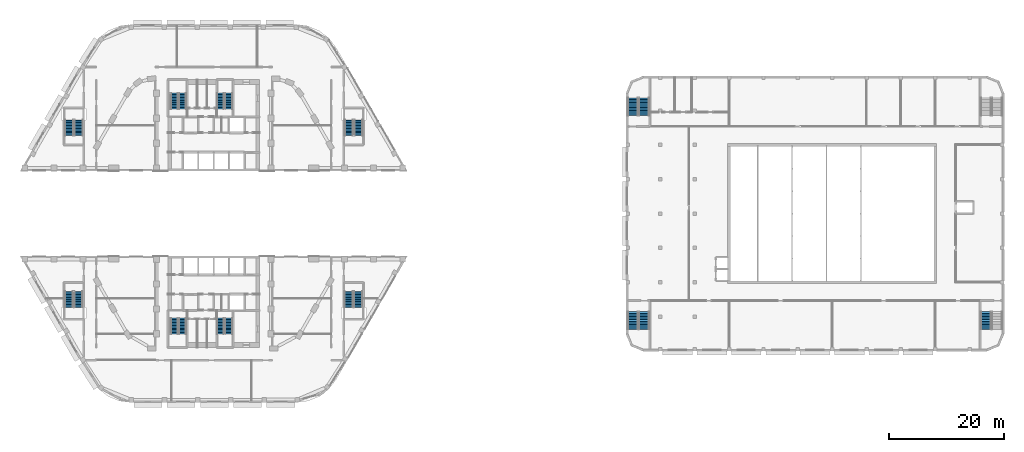
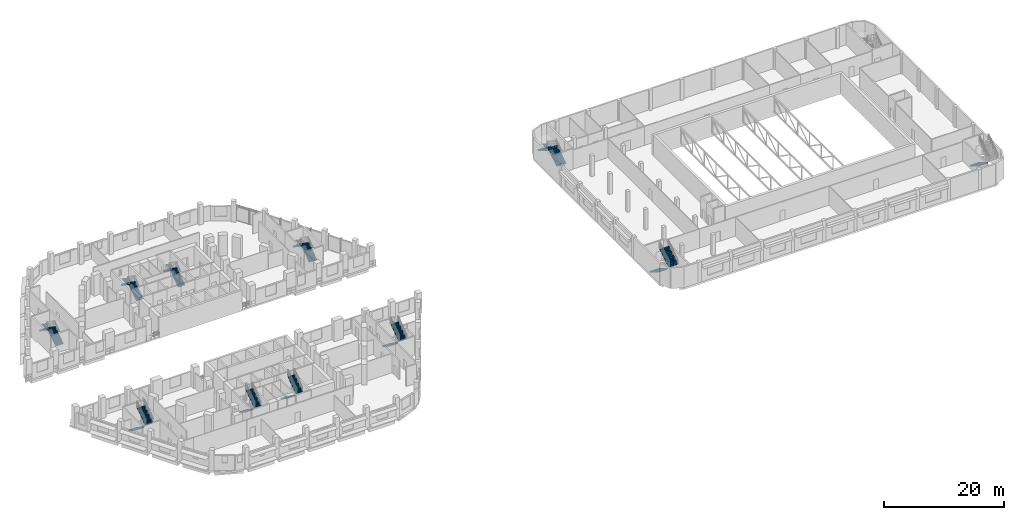
# One storey, part 31 of 47: 21 stair flights, 11 elements without a shape of their own.
"""IFC4 building model written with IfcOpenShell, lengths in metres."""

from ifc_helpers import new_model, si_unit, direction, frame, origin, place, context, subcontext, project, spatial, polyline, outline, extrude, material, type_object, element, aggregate, save


model = new_model("IFC4")

# Units and contexts
model_context = context("Model", 3, precision=1e-05, world=origin(), true_north=direction((0.0, 1.0)))
body_context = subcontext(model_context, "Body", "Model", "MODEL_VIEW")
ifc_project = project(units=[si_unit("LENGTHUNIT", "METRE"), si_unit("AREAUNIT", "SQUARE_METRE"), si_unit("VOLUMEUNIT", "CUBIC_METRE"), si_unit("PLANEANGLEUNIT", "RADIAN"), si_unit("MASSUNIT", "GRAM", prefix="KILO")], contexts=[model_context])

# Site, building, storey
site_placement = place(None, origin())
site = spatial("IfcSite", under=ifc_project, at=site_placement, CompositionType="ELEMENT")
building_placement = place(site_placement, origin())
building = spatial("IfcBuilding", under=site, at=building_placement, Name="Nakaniwa Court", CompositionType="ELEMENT")
storey_placement = place(building_placement, frame((0.0, 0.0, 15.60009765625)))
storey = spatial("IfcBuildingStorey", under=building, at=storey_placement, Name="L03", CompositionType="ELEMENT", Elevation=15.60009765625)

# Stair, stair flights
ifc_material_1 = material(Name="Concrete C40/50", Category="concrete")
stair_type_1 = type_object("IfcStairType", Name="Hall exit stair 24 risers", PredefinedType="HALF_TURN_STAIR", material=ifc_material_1)
stair_1_placement = place(storey_placement, origin())
stair_1 = element("IfcStair", 1, at=stair_1_placement, inside=storey, type_object=stair_type_1, Name="L03 Exit stair 1", PredefinedType="HALF_TURN_STAIR")
stair_flight_type_1 = type_object("IfcStairFlightType", Name="Hall stair flight 12 risers", PredefinedType="STRAIGHT", material=ifc_material_1)
stair_flight_1_placement = place(storey_placement, frame((153.199951171875, 62.860107421875, 0.0), z_axis=(0.0, 0.0, 1.0), x_axis=(0.0, -1.0, 0.0)))
stair_flight_1 = element("IfcStairFlight", 2, at=stair_flight_1_placement, type_object=stair_flight_type_1, Name="ST-H1 flight 1", NumberOfRisers=12, NumberOfTreads=11, PredefinedType="STRAIGHT", RiserHeight=0.175, TreadLength=0.28, context=body_context, shape_type="SweptSolid", body=[
    extrude(outline(polyline([(0.0, 0.0), (0.0, 0.02490234375), (0.0, 0.050048828125), (0.0, 0.074951171875), (0.0, 0.10009765625), (0.0, 0.125), (0.0, 0.14990234375), (0.0, 0.175048828125), (0.280029296875, 0.175048828125), (0.280029296875, 0.35009765625), (0.56005859375, 0.35009765625), (0.56005859375, 0.52490234375), (0.840087890625, 0.52490234375), (0.840087890625, 0.699951171875), (1.1201171875, 0.699951171875), (1.1201171875, 0.875), (1.39990234375, 0.875), (1.39990234375, 1.050048828125), (1.679931640625, 1.050048828125), (1.679931640625, 1.22509765625), (1.9599609375, 1.22509765625), (1.9599609375, 1.39990234375), (2.239990234375, 1.39990234375), (2.239990234375, 1.574951171875), (2.52001953125, 1.574951171875), (2.52001953125, 1.75), (2.800048828125, 1.75), (2.800048828125, 1.925048828125), (3.080078125, 1.925048828125), (3.080078125, 2.10009765625), (3.080078125, 2.0498046875), (3.080078125, 1.99951171875), (3.080078125, 1.94921875), (3.080078125, 1.89892578125), (3.080078125, 1.8486328125), (3.080078125, 1.798583984375), (3.080078125, 1.748291015625), (0.28271484375, 0.0), (0.0, 0.0)])), frame((0.0, 0.89990234375, 0.0), z_axis=(0.0, -1.0, 0.0), x_axis=(1.0, 0.0, 0.0)), (0.0, 0.0, 1.0), 1.800048828125),
])
stair_flight_2_placement = place(storey_placement, frame((155.14990234375, 59.780029296875, 2.099853515625), z_axis=(0.0, 0.0, 1.0), x_axis=(0.0, 1.0, 0.0)))
stair_flight_2 = element("IfcStairFlight", 3, at=stair_flight_2_placement, type_object=stair_flight_type_1, Name="ST-H1 flight 2", NumberOfRisers=12, NumberOfTreads=11, PredefinedType="STRAIGHT", RiserHeight=0.175, TreadLength=0.28, context=body_context, shape_type="SweptSolid", body=[
    extrude(outline(polyline([(0.0, 0.0), (0.0, 0.02490234375), (0.0, 0.050048828125), (0.0, 0.074951171875), (0.0, 0.10009765625), (0.0, 0.125), (0.0, 0.14990234375), (0.0, 0.175048828125), (0.280029296875, 0.175048828125), (0.280029296875, 0.35009765625), (0.56005859375, 0.35009765625), (0.56005859375, 0.52490234375), (0.840087890625, 0.52490234375), (0.840087890625, 0.699951171875), (1.1201171875, 0.699951171875), (1.1201171875, 0.875), (1.39990234375, 0.875), (1.39990234375, 1.050048828125), (1.679931640625, 1.050048828125), (1.679931640625, 1.22509765625), (1.9599609375, 1.22509765625), (1.9599609375, 1.39990234375), (2.239990234375, 1.39990234375), (2.239990234375, 1.574951171875), (2.52001953125, 1.574951171875), (2.52001953125, 1.75), (2.800048828125, 1.75), (2.800048828125, 1.925048828125), (3.080078125, 1.925048828125), (3.080078125, 2.10009765625), (3.080078125, 2.0498046875), (3.080078125, 1.99951171875), (3.080078125, 1.94921875), (3.080078125, 1.89892578125), (3.080078125, 1.8486328125), (3.080078125, 1.798583984375), (3.080078125, 1.748291015625), (0.28271484375, 0.0), (0.0, 0.0)])), frame((0.0, 0.89990234375, 0.0), z_axis=(0.0, -1.0, 0.0), x_axis=(1.0, 0.0, 0.0)), (0.0, 0.0, 1.0), 1.800048828125),
])
aggregate(stair_1, [stair_flight_1, stair_flight_2])

stair_2_placement = place(storey_placement, origin())
stair_2 = element("IfcStair", 4, at=stair_2_placement, inside=storey, type_object=stair_type_1, Name="L03 Exit stair 2", PredefinedType="HALF_TURN_STAIR")
stair_flight_3_placement = place(storey_placement, frame((155.14990234375, 97.139892578125, 0.0), z_axis=(0.0, 0.0, 1.0), x_axis=(0.0, 1.0, 0.0)))
stair_flight_3 = element("IfcStairFlight", 5, at=stair_flight_3_placement, type_object=stair_flight_type_1, Name="ST-H2 flight 1", NumberOfRisers=12, NumberOfTreads=11, PredefinedType="STRAIGHT", RiserHeight=0.175, TreadLength=0.28, context=body_context, shape_type="SweptSolid", body=[
    extrude(outline(polyline([(0.0, 0.0), (0.0, 0.02490234375), (0.0, 0.050048828125), (0.0, 0.074951171875), (0.0, 0.10009765625), (0.0, 0.125), (0.0, 0.14990234375), (0.0, 0.175048828125), (0.280029296875, 0.175048828125), (0.280029296875, 0.35009765625), (0.56005859375, 0.35009765625), (0.56005859375, 0.52490234375), (0.840087890625, 0.52490234375), (0.840087890625, 0.699951171875), (1.1201171875, 0.699951171875), (1.1201171875, 0.875), (1.39990234375, 0.875), (1.39990234375, 1.050048828125), (1.679931640625, 1.050048828125), (1.679931640625, 1.22509765625), (1.9599609375, 1.22509765625), (1.9599609375, 1.39990234375), (2.239990234375, 1.39990234375), (2.239990234375, 1.574951171875), (2.52001953125, 1.574951171875), (2.52001953125, 1.75), (2.800048828125, 1.75), (2.800048828125, 1.925048828125), (3.080078125, 1.925048828125), (3.080078125, 2.10009765625), (3.080078125, 2.0498046875), (3.080078125, 1.99951171875), (3.080078125, 1.94921875), (3.080078125, 1.89892578125), (3.080078125, 1.8486328125), (3.080078125, 1.798583984375), (3.080078125, 1.748291015625), (0.28271484375, 0.0), (0.0, 0.0)])), frame((0.0, 0.89990234375, 0.0), z_axis=(0.0, -1.0, 0.0), x_axis=(1.0, 0.0, 0.0)), (0.0, 0.0, 1.0), 1.800048828125),
])
stair_flight_4_placement = place(storey_placement, frame((153.199951171875, 100.219970703125, 2.099853515625), z_axis=(0.0, 0.0, 1.0), x_axis=(0.0, -1.0, 0.0)))
stair_flight_4 = element("IfcStairFlight", 6, at=stair_flight_4_placement, type_object=stair_flight_type_1, Name="ST-H2 flight 2", NumberOfRisers=12, NumberOfTreads=11, PredefinedType="STRAIGHT", RiserHeight=0.175, TreadLength=0.28, context=body_context, shape_type="SweptSolid", body=[
    extrude(outline(polyline([(0.0, 0.0), (0.0, 0.02490234375), (0.0, 0.050048828125), (0.0, 0.074951171875), (0.0, 0.10009765625), (0.0, 0.125), (0.0, 0.14990234375), (0.0, 0.175048828125), (0.280029296875, 0.175048828125), (0.280029296875, 0.35009765625), (0.56005859375, 0.35009765625), (0.56005859375, 0.52490234375), (0.840087890625, 0.52490234375), (0.840087890625, 0.699951171875), (1.1201171875, 0.699951171875), (1.1201171875, 0.875), (1.39990234375, 0.875), (1.39990234375, 1.050048828125), (1.679931640625, 1.050048828125), (1.679931640625, 1.22509765625), (1.9599609375, 1.22509765625), (1.9599609375, 1.39990234375), (2.239990234375, 1.39990234375), (2.239990234375, 1.574951171875), (2.52001953125, 1.574951171875), (2.52001953125, 1.75), (2.800048828125, 1.75), (2.800048828125, 1.925048828125), (3.080078125, 1.925048828125), (3.080078125, 2.10009765625), (3.080078125, 2.0498046875), (3.080078125, 1.99951171875), (3.080078125, 1.94921875), (3.080078125, 1.89892578125), (3.080078125, 1.8486328125), (3.080078125, 1.798583984375), (3.080078125, 1.748291015625), (0.28271484375, 0.0), (0.0, 0.0)])), frame((0.0, 0.89990234375, 0.0), z_axis=(0.0, -1.0, 0.0), x_axis=(1.0, 0.0, 0.0)), (0.0, 0.0, 1.0), 1.800048828125),
])
aggregate(stair_2, [stair_flight_3, stair_flight_4])

# Stair, stair flight
stair_3_placement = place(storey_placement, origin())
stair_3 = element("IfcStair", 7, at=stair_3_placement, inside=storey, type_object=stair_type_1, Name="L03 Exit stair 3", PredefinedType="HALF_TURN_STAIR")
stair_flight_5_placement = place(storey_placement, frame((214.85009765625, 62.860107421875, 0.0), z_axis=(0.0, 0.0, 1.0), x_axis=(0.0, -1.0, 0.0)))
stair_flight_5 = element("IfcStairFlight", 8, at=stair_flight_5_placement, type_object=stair_flight_type_1, Name="ST-H3 flight 1", NumberOfRisers=12, NumberOfTreads=11, PredefinedType="STRAIGHT", RiserHeight=0.175, TreadLength=0.28, context=body_context, shape_type="SweptSolid", body=[
    extrude(outline(polyline([(0.0, 0.0), (0.0, 0.02490234375), (0.0, 0.050048828125), (0.0, 0.074951171875), (0.0, 0.10009765625), (0.0, 0.125), (0.0, 0.14990234375), (0.0, 0.175048828125), (0.280029296875, 0.175048828125), (0.280029296875, 0.35009765625), (0.56005859375, 0.35009765625), (0.56005859375, 0.52490234375), (0.840087890625, 0.52490234375), (0.840087890625, 0.699951171875), (1.1201171875, 0.699951171875), (1.1201171875, 0.875), (1.39990234375, 0.875), (1.39990234375, 1.050048828125), (1.679931640625, 1.050048828125), (1.679931640625, 1.22509765625), (1.9599609375, 1.22509765625), (1.9599609375, 1.39990234375), (2.239990234375, 1.39990234375), (2.239990234375, 1.574951171875), (2.52001953125, 1.574951171875), (2.52001953125, 1.75), (2.800048828125, 1.75), (2.800048828125, 1.925048828125), (3.080078125, 1.925048828125), (3.080078125, 2.10009765625), (3.080078125, 2.0498046875), (3.080078125, 1.99951171875), (3.080078125, 1.94921875), (3.080078125, 1.89892578125), (3.080078125, 1.8486328125), (3.080078125, 1.798583984375), (3.080078125, 1.748291015625), (0.28271484375, 0.0), (0.0, 0.0)])), frame((0.0, 0.89990234375, 0.0), z_axis=(0.0, -1.0, 0.0), x_axis=(1.0, 0.0, 0.0)), (0.0, 0.0, 1.0), 1.800048828125),
])
aggregate(stair_3, [stair_flight_5])

# Stair, stair flights
ifc_material_2 = material(Name="Concrete C80/100", Category="concrete")
stair_type_2 = type_object("IfcStairType", Name="Dog leg stair 1300 wide 24 risers", PredefinedType="HALF_TURN_STAIR", material=ifc_material_2)
stair_4_placement = place(storey_placement, origin())
stair_4 = element("IfcStair", 9, at=stair_4_placement, inside=storey, type_object=stair_type_2, Name="L03 Stair ST1", PredefinedType="HALF_TURN_STAIR")
stair_flight_type_2 = type_object("IfcStairFlightType", Name="Stair flight 1300 wide 12 risers", PredefinedType="STRAIGHT", material=ifc_material_2)
stair_flight_6_placement = place(storey_placement, frame((74.574951171875, 98.27490234375, 0.0), z_axis=(0.0, 0.0, 1.0), x_axis=(0.0, 1.0, 0.0)))
stair_flight_6 = element("IfcStairFlight", 10, at=stair_flight_6_placement, type_object=stair_flight_type_2, Name="ST1 flight 1", NumberOfRisers=12, NumberOfTreads=11, PredefinedType="STRAIGHT", RiserHeight=0.175, TreadLength=0.25, context=body_context, shape_type="SweptSolid", body=[
    extrude(outline(polyline([(0.0, 0.0), (0.0, 0.02490234375), (0.0, 0.050048828125), (0.0, 0.074951171875), (0.0, 0.10009765625), (0.0, 0.125), (0.0, 0.14990234375), (0.0, 0.175048828125), (0.25, 0.175048828125), (0.25, 0.35009765625), (0.5, 0.35009765625), (0.5, 0.52490234375), (0.75, 0.52490234375), (0.75, 0.699951171875), (1.0, 0.699951171875), (1.0, 0.875), (1.25, 0.875), (1.25, 1.050048828125), (1.5, 1.050048828125), (1.5, 1.22509765625), (1.75, 1.22509765625), (1.75, 1.39990234375), (2.0, 1.39990234375), (2.0, 1.574951171875), (2.25, 1.574951171875), (2.25, 1.75), (2.5, 1.75), (2.5, 1.925048828125), (2.75, 1.925048828125), (2.75, 2.10009765625), (2.75, 2.048828125), (2.75, 1.997802734375), (2.75, 1.946533203125), (2.75, 1.8955078125), (2.75, 1.84423828125), (2.75, 1.793212890625), (2.75, 1.741943359375), (0.261474609375, 0.0), (0.0, 0.0)])), frame((0.0, 0.64990234375, 0.0), z_axis=(0.0, -1.0, 0.0), x_axis=(1.0, 0.0, 0.0)), (0.0, 0.0, 1.0), 1.300048828125),
])
stair_flight_7_placement = place(storey_placement, frame((73.125, 101.02490234375, 2.099853515625), z_axis=(0.0, 0.0, 1.0), x_axis=(0.0, -1.0, 0.0)))
stair_flight_7 = element("IfcStairFlight", 11, at=stair_flight_7_placement, type_object=stair_flight_type_2, Name="ST1 flight 2", NumberOfRisers=12, NumberOfTreads=11, PredefinedType="STRAIGHT", RiserHeight=0.175, TreadLength=0.25, context=body_context, shape_type="SweptSolid", body=[
    extrude(outline(polyline([(0.0, 0.0), (0.0, 0.02490234375), (0.0, 0.050048828125), (0.0, 0.074951171875), (0.0, 0.10009765625), (0.0, 0.125), (0.0, 0.14990234375), (0.0, 0.175048828125), (0.25, 0.175048828125), (0.25, 0.35009765625), (0.5, 0.35009765625), (0.5, 0.52490234375), (0.75, 0.52490234375), (0.75, 0.699951171875), (1.0, 0.699951171875), (1.0, 0.875), (1.25, 0.875), (1.25, 1.050048828125), (1.5, 1.050048828125), (1.5, 1.22509765625), (1.75, 1.22509765625), (1.75, 1.39990234375), (2.0, 1.39990234375), (2.0, 1.574951171875), (2.25, 1.574951171875), (2.25, 1.75), (2.5, 1.75), (2.5, 1.925048828125), (2.75, 1.925048828125), (2.75, 2.10009765625), (2.75, 2.048828125), (2.75, 1.997802734375), (2.75, 1.946533203125), (2.75, 1.8955078125), (2.75, 1.84423828125), (2.75, 1.793212890625), (2.75, 1.741943359375), (0.261474609375, 0.0), (0.0, 0.0)])), frame((0.0, 0.64990234375, 0.0), z_axis=(0.0, -1.0, 0.0), x_axis=(1.0, 0.0, 0.0)), (0.0, 0.0, 1.0), 1.300048828125),
])
aggregate(stair_4, [stair_flight_6, stair_flight_7])

stair_5_placement = place(storey_placement, origin())
stair_5 = element("IfcStair", 12, at=stair_5_placement, inside=storey, type_object=stair_type_2, Name="L03 Stair ST2", PredefinedType="HALF_TURN_STAIR")
stair_flight_8_placement = place(storey_placement, frame((82.625, 98.27490234375, 0.0), z_axis=(0.0, 0.0, 1.0), x_axis=(0.0, 1.0, 0.0)))
stair_flight_8 = element("IfcStairFlight", 13, at=stair_flight_8_placement, type_object=stair_flight_type_2, Name="ST2 flight 1", NumberOfRisers=12, NumberOfTreads=11, PredefinedType="STRAIGHT", RiserHeight=0.175, TreadLength=0.25, context=body_context, shape_type="SweptSolid", body=[
    extrude(outline(polyline([(0.0, 0.0), (0.0, 0.02490234375), (0.0, 0.050048828125), (0.0, 0.074951171875), (0.0, 0.10009765625), (0.0, 0.125), (0.0, 0.14990234375), (0.0, 0.175048828125), (0.25, 0.175048828125), (0.25, 0.35009765625), (0.5, 0.35009765625), (0.5, 0.52490234375), (0.75, 0.52490234375), (0.75, 0.699951171875), (1.0, 0.699951171875), (1.0, 0.875), (1.25, 0.875), (1.25, 1.050048828125), (1.5, 1.050048828125), (1.5, 1.22509765625), (1.75, 1.22509765625), (1.75, 1.39990234375), (2.0, 1.39990234375), (2.0, 1.574951171875), (2.25, 1.574951171875), (2.25, 1.75), (2.5, 1.75), (2.5, 1.925048828125), (2.75, 1.925048828125), (2.75, 2.10009765625), (2.75, 2.048828125), (2.75, 1.997802734375), (2.75, 1.946533203125), (2.75, 1.8955078125), (2.75, 1.84423828125), (2.75, 1.793212890625), (2.75, 1.741943359375), (0.261474609375, 0.0), (0.0, 0.0)])), frame((0.0, 0.64990234375, 0.0), z_axis=(0.0, -1.0, 0.0), x_axis=(1.0, 0.0, 0.0)), (0.0, 0.0, 1.0), 1.300048828125),
])
stair_flight_9_placement = place(storey_placement, frame((81.175048828125, 101.02490234375, 2.099853515625), z_axis=(0.0, 0.0, 1.0), x_axis=(0.0, -1.0, 0.0)))
stair_flight_9 = element("IfcStairFlight", 14, at=stair_flight_9_placement, type_object=stair_flight_type_2, Name="ST2 flight 2", NumberOfRisers=12, NumberOfTreads=11, PredefinedType="STRAIGHT", RiserHeight=0.175, TreadLength=0.25, context=body_context, shape_type="SweptSolid", body=[
    extrude(outline(polyline([(0.0, 0.0), (0.0, 0.02490234375), (0.0, 0.050048828125), (0.0, 0.074951171875), (0.0, 0.10009765625), (0.0, 0.125), (0.0, 0.14990234375), (0.0, 0.175048828125), (0.25, 0.175048828125), (0.25, 0.35009765625), (0.5, 0.35009765625), (0.5, 0.52490234375), (0.75, 0.52490234375), (0.75, 0.699951171875), (1.0, 0.699951171875), (1.0, 0.875), (1.25, 0.875), (1.25, 1.050048828125), (1.5, 1.050048828125), (1.5, 1.22509765625), (1.75, 1.22509765625), (1.75, 1.39990234375), (2.0, 1.39990234375), (2.0, 1.574951171875), (2.25, 1.574951171875), (2.25, 1.75), (2.5, 1.75), (2.5, 1.925048828125), (2.75, 1.925048828125), (2.75, 2.10009765625), (2.75, 2.048828125), (2.75, 1.997802734375), (2.75, 1.946533203125), (2.75, 1.8955078125), (2.75, 1.84423828125), (2.75, 1.793212890625), (2.75, 1.741943359375), (0.261474609375, 0.0), (0.0, 0.0)])), frame((0.0, 0.64990234375, 0.0), z_axis=(0.0, -1.0, 0.0), x_axis=(1.0, 0.0, 0.0)), (0.0, 0.0, 1.0), 1.300048828125),
])
aggregate(stair_5, [stair_flight_8, stair_flight_9])

stair_6_placement = place(storey_placement, origin())
stair_6 = element("IfcStair", 15, at=stair_6_placement, inside=storey, type_object=stair_type_2, Name="L03 Stair ST3", PredefinedType="HALF_TURN_STAIR")
stair_flight_10_placement = place(storey_placement, frame((73.125, 61.72509765625, 0.0), z_axis=(0.0, 0.0, 1.0), x_axis=(0.0, -1.0, 0.0)))
stair_flight_10 = element("IfcStairFlight", 16, at=stair_flight_10_placement, type_object=stair_flight_type_2, Name="ST3 flight 1", NumberOfRisers=12, NumberOfTreads=11, PredefinedType="STRAIGHT", RiserHeight=0.175, TreadLength=0.25, context=body_context, shape_type="SweptSolid", body=[
    extrude(outline(polyline([(0.0, 0.0), (0.0, 0.02490234375), (0.0, 0.050048828125), (0.0, 0.074951171875), (0.0, 0.10009765625), (0.0, 0.125), (0.0, 0.14990234375), (0.0, 0.175048828125), (0.25, 0.175048828125), (0.25, 0.35009765625), (0.5, 0.35009765625), (0.5, 0.52490234375), (0.75, 0.52490234375), (0.75, 0.699951171875), (1.0, 0.699951171875), (1.0, 0.875), (1.25, 0.875), (1.25, 1.050048828125), (1.5, 1.050048828125), (1.5, 1.22509765625), (1.75, 1.22509765625), (1.75, 1.39990234375), (2.0, 1.39990234375), (2.0, 1.574951171875), (2.25, 1.574951171875), (2.25, 1.75), (2.5, 1.75), (2.5, 1.925048828125), (2.75, 1.925048828125), (2.75, 2.10009765625), (2.75, 2.048828125), (2.75, 1.997802734375), (2.75, 1.946533203125), (2.75, 1.8955078125), (2.75, 1.84423828125), (2.75, 1.793212890625), (2.75, 1.741943359375), (0.261474609375, 0.0), (0.0, 0.0)])), frame((0.0, 0.64990234375, 0.0), z_axis=(0.0, -1.0, 0.0), x_axis=(1.0, 0.0, 0.0)), (0.0, 0.0, 1.0), 1.300048828125),
])
stair_flight_11_placement = place(storey_placement, frame((74.574951171875, 58.97509765625, 2.099853515625), z_axis=(0.0, 0.0, 1.0), x_axis=(0.0, 1.0, 0.0)))
stair_flight_11 = element("IfcStairFlight", 17, at=stair_flight_11_placement, type_object=stair_flight_type_2, Name="ST3 flight 2", NumberOfRisers=12, NumberOfTreads=11, PredefinedType="STRAIGHT", RiserHeight=0.175, TreadLength=0.25, context=body_context, shape_type="SweptSolid", body=[
    extrude(outline(polyline([(0.0, 0.0), (0.0, 0.02490234375), (0.0, 0.050048828125), (0.0, 0.074951171875), (0.0, 0.10009765625), (0.0, 0.125), (0.0, 0.14990234375), (0.0, 0.175048828125), (0.25, 0.175048828125), (0.25, 0.35009765625), (0.5, 0.35009765625), (0.5, 0.52490234375), (0.75, 0.52490234375), (0.75, 0.699951171875), (1.0, 0.699951171875), (1.0, 0.875), (1.25, 0.875), (1.25, 1.050048828125), (1.5, 1.050048828125), (1.5, 1.22509765625), (1.75, 1.22509765625), (1.75, 1.39990234375), (2.0, 1.39990234375), (2.0, 1.574951171875), (2.25, 1.574951171875), (2.25, 1.75), (2.5, 1.75), (2.5, 1.925048828125), (2.75, 1.925048828125), (2.75, 2.10009765625), (2.75, 2.048828125), (2.75, 1.997802734375), (2.75, 1.946533203125), (2.75, 1.8955078125), (2.75, 1.84423828125), (2.75, 1.793212890625), (2.75, 1.741943359375), (0.261474609375, 0.0), (0.0, 0.0)])), frame((0.0, 0.64990234375, 0.0), z_axis=(0.0, -1.0, 0.0), x_axis=(1.0, 0.0, 0.0)), (0.0, 0.0, 1.0), 1.300048828125),
])
aggregate(stair_6, [stair_flight_10, stair_flight_11])

stair_7_placement = place(storey_placement, origin())
stair_7 = element("IfcStair", 18, at=stair_7_placement, inside=storey, type_object=stair_type_2, Name="L03 Stair ST4", PredefinedType="HALF_TURN_STAIR")
stair_flight_12_placement = place(storey_placement, frame((81.175048828125, 61.72509765625, 0.0), z_axis=(0.0, 0.0, 1.0), x_axis=(0.0, -1.0, 0.0)))
stair_flight_12 = element("IfcStairFlight", 19, at=stair_flight_12_placement, type_object=stair_flight_type_2, Name="ST4 flight 1", NumberOfRisers=12, NumberOfTreads=11, PredefinedType="STRAIGHT", RiserHeight=0.175, TreadLength=0.25, context=body_context, shape_type="SweptSolid", body=[
    extrude(outline(polyline([(0.0, 0.0), (0.0, 0.02490234375), (0.0, 0.050048828125), (0.0, 0.074951171875), (0.0, 0.10009765625), (0.0, 0.125), (0.0, 0.14990234375), (0.0, 0.175048828125), (0.25, 0.175048828125), (0.25, 0.35009765625), (0.5, 0.35009765625), (0.5, 0.52490234375), (0.75, 0.52490234375), (0.75, 0.699951171875), (1.0, 0.699951171875), (1.0, 0.875), (1.25, 0.875), (1.25, 1.050048828125), (1.5, 1.050048828125), (1.5, 1.22509765625), (1.75, 1.22509765625), (1.75, 1.39990234375), (2.0, 1.39990234375), (2.0, 1.574951171875), (2.25, 1.574951171875), (2.25, 1.75), (2.5, 1.75), (2.5, 1.925048828125), (2.75, 1.925048828125), (2.75, 2.10009765625), (2.75, 2.048828125), (2.75, 1.997802734375), (2.75, 1.946533203125), (2.75, 1.8955078125), (2.75, 1.84423828125), (2.75, 1.793212890625), (2.75, 1.741943359375), (0.261474609375, 0.0), (0.0, 0.0)])), frame((0.0, 0.64990234375, 0.0), z_axis=(0.0, -1.0, 0.0), x_axis=(1.0, 0.0, 0.0)), (0.0, 0.0, 1.0), 1.300048828125),
])
stair_flight_13_placement = place(storey_placement, frame((82.625, 58.97509765625, 2.099853515625), z_axis=(0.0, 0.0, 1.0), x_axis=(0.0, 1.0, 0.0)))
stair_flight_13 = element("IfcStairFlight", 20, at=stair_flight_13_placement, type_object=stair_flight_type_2, Name="ST4 flight 2", NumberOfRisers=12, NumberOfTreads=11, PredefinedType="STRAIGHT", RiserHeight=0.175, TreadLength=0.25, context=body_context, shape_type="SweptSolid", body=[
    extrude(outline(polyline([(0.0, 0.0), (0.0, 0.02490234375), (0.0, 0.050048828125), (0.0, 0.074951171875), (0.0, 0.10009765625), (0.0, 0.125), (0.0, 0.14990234375), (0.0, 0.175048828125), (0.25, 0.175048828125), (0.25, 0.35009765625), (0.5, 0.35009765625), (0.5, 0.52490234375), (0.75, 0.52490234375), (0.75, 0.699951171875), (1.0, 0.699951171875), (1.0, 0.875), (1.25, 0.875), (1.25, 1.050048828125), (1.5, 1.050048828125), (1.5, 1.22509765625), (1.75, 1.22509765625), (1.75, 1.39990234375), (2.0, 1.39990234375), (2.0, 1.574951171875), (2.25, 1.574951171875), (2.25, 1.75), (2.5, 1.75), (2.5, 1.925048828125), (2.75, 1.925048828125), (2.75, 2.10009765625), (2.75, 2.048828125), (2.75, 1.997802734375), (2.75, 1.946533203125), (2.75, 1.8955078125), (2.75, 1.84423828125), (2.75, 1.793212890625), (2.75, 1.741943359375), (0.261474609375, 0.0), (0.0, 0.0)])), frame((0.0, 0.64990234375, 0.0), z_axis=(0.0, -1.0, 0.0), x_axis=(1.0, 0.0, 0.0)), (0.0, 0.0, 1.0), 1.300048828125),
])
aggregate(stair_7, [stair_flight_12, stair_flight_13])

stair_type_3 = type_object("IfcStairType", Name="Dog leg stair 1500 wide 24 risers", PredefinedType="HALF_TURN_STAIR", material=ifc_material_2)
stair_8_placement = place(storey_placement, origin())
stair_8 = element("IfcStair", 21, at=stair_8_placement, inside=storey, type_object=stair_type_3, Name="L03 Stair SS1", PredefinedType="HALF_TURN_STAIR")
stair_flight_type_3 = type_object("IfcStairFlightType", Name="Stair flight 1500 wide 12 risers", PredefinedType="STRAIGHT", material=ifc_material_2)
stair_flight_14_placement = place(storey_placement, frame((105.27490234375, 93.625, 0.0), z_axis=(0.0, 0.0, 1.0), x_axis=(0.0, 1.0, 0.0)))
stair_flight_14 = element("IfcStairFlight", 22, at=stair_flight_14_placement, type_object=stair_flight_type_3, Name="SS1 flight 1", NumberOfRisers=12, NumberOfTreads=11, PredefinedType="STRAIGHT", RiserHeight=0.175, TreadLength=0.25, context=body_context, shape_type="SweptSolid", body=[
    extrude(outline(polyline([(0.0, 0.0), (0.0, 0.02490234375), (0.0, 0.050048828125), (0.0, 0.074951171875), (0.0, 0.10009765625), (0.0, 0.125), (0.0, 0.14990234375), (0.0, 0.175048828125), (0.25, 0.175048828125), (0.25, 0.35009765625), (0.5, 0.35009765625), (0.5, 0.52490234375), (0.75, 0.52490234375), (0.75, 0.699951171875), (1.0, 0.699951171875), (1.0, 0.875), (1.25, 0.875), (1.25, 1.050048828125), (1.5, 1.050048828125), (1.5, 1.22509765625), (1.75, 1.22509765625), (1.75, 1.39990234375), (2.0, 1.39990234375), (2.0, 1.574951171875), (2.25, 1.574951171875), (2.25, 1.75), (2.5, 1.75), (2.5, 1.925048828125), (2.75, 1.925048828125), (2.75, 2.10009765625), (2.75, 2.048828125), (2.75, 1.997802734375), (2.75, 1.946533203125), (2.75, 1.8955078125), (2.75, 1.84423828125), (2.75, 1.793212890625), (2.75, 1.741943359375), (0.261474609375, 0.0), (0.0, 0.0)])), frame((0.0, 0.75, 0.0), z_axis=(0.0, -1.0, 0.0), x_axis=(1.0, 0.0, 0.0)), (0.0, 0.0, 1.0), 1.5),
])
stair_flight_15_placement = place(storey_placement, frame((103.625, 96.375, 2.099853515625), z_axis=(0.0, 0.0, 1.0), x_axis=(0.0, -1.0, 0.0)))
stair_flight_15 = element("IfcStairFlight", 23, at=stair_flight_15_placement, type_object=stair_flight_type_3, Name="SS1 flight 2", NumberOfRisers=12, NumberOfTreads=11, PredefinedType="STRAIGHT", RiserHeight=0.175, TreadLength=0.25, context=body_context, shape_type="SweptSolid", body=[
    extrude(outline(polyline([(0.0, 0.0), (0.0, 0.02490234375), (0.0, 0.050048828125), (0.0, 0.074951171875), (0.0, 0.10009765625), (0.0, 0.125), (0.0, 0.14990234375), (0.0, 0.175048828125), (0.25, 0.175048828125), (0.25, 0.35009765625), (0.5, 0.35009765625), (0.5, 0.52490234375), (0.75, 0.52490234375), (0.75, 0.699951171875), (1.0, 0.699951171875), (1.0, 0.875), (1.25, 0.875), (1.25, 1.050048828125), (1.5, 1.050048828125), (1.5, 1.22509765625), (1.75, 1.22509765625), (1.75, 1.39990234375), (2.0, 1.39990234375), (2.0, 1.574951171875), (2.25, 1.574951171875), (2.25, 1.75), (2.5, 1.75), (2.5, 1.925048828125), (2.75, 1.925048828125), (2.75, 2.10009765625), (2.75, 2.048828125), (2.75, 1.997802734375), (2.75, 1.946533203125), (2.75, 1.8955078125), (2.75, 1.84423828125), (2.75, 1.793212890625), (2.75, 1.741943359375), (0.261474609375, 0.0), (0.0, 0.0)])), frame((0.0, 0.75, 0.0), z_axis=(0.0, -1.0, 0.0), x_axis=(1.0, 0.0, 0.0)), (0.0, 0.0, 1.0), 1.5),
])
aggregate(stair_8, [stair_flight_14, stair_flight_15])

stair_9_placement = place(storey_placement, origin())
stair_9 = element("IfcStair", 24, at=stair_9_placement, inside=storey, type_object=stair_type_3, Name="L03 Stair SS2", PredefinedType="HALF_TURN_STAIR")
stair_flight_16_placement = place(storey_placement, frame((56.425048828125, 93.625, 0.0), z_axis=(0.0, 0.0, 1.0), x_axis=(0.0, 1.0, 0.0)))
stair_flight_16 = element("IfcStairFlight", 25, at=stair_flight_16_placement, type_object=stair_flight_type_3, Name="SS2 flight 1", NumberOfRisers=12, NumberOfTreads=11, PredefinedType="STRAIGHT", RiserHeight=0.175, TreadLength=0.25, context=body_context, shape_type="SweptSolid", body=[
    extrude(outline(polyline([(0.0, 0.0), (0.0, 0.02490234375), (0.0, 0.050048828125), (0.0, 0.074951171875), (0.0, 0.10009765625), (0.0, 0.125), (0.0, 0.14990234375), (0.0, 0.175048828125), (0.25, 0.175048828125), (0.25, 0.35009765625), (0.5, 0.35009765625), (0.5, 0.52490234375), (0.75, 0.52490234375), (0.75, 0.699951171875), (1.0, 0.699951171875), (1.0, 0.875), (1.25, 0.875), (1.25, 1.050048828125), (1.5, 1.050048828125), (1.5, 1.22509765625), (1.75, 1.22509765625), (1.75, 1.39990234375), (2.0, 1.39990234375), (2.0, 1.574951171875), (2.25, 1.574951171875), (2.25, 1.75), (2.5, 1.75), (2.5, 1.925048828125), (2.75, 1.925048828125), (2.75, 2.10009765625), (2.75, 2.048828125), (2.75, 1.997802734375), (2.75, 1.946533203125), (2.75, 1.8955078125), (2.75, 1.84423828125), (2.75, 1.793212890625), (2.75, 1.741943359375), (0.261474609375, 0.0), (0.0, 0.0)])), frame((0.0, 0.75, 0.0), z_axis=(0.0, -1.0, 0.0), x_axis=(1.0, 0.0, 0.0)), (0.0, 0.0, 1.0), 1.5),
])
stair_flight_17_placement = place(storey_placement, frame((54.77490234375, 96.375, 2.099853515625), z_axis=(0.0, 0.0, 1.0), x_axis=(0.0, -1.0, 0.0)))
stair_flight_17 = element("IfcStairFlight", 26, at=stair_flight_17_placement, type_object=stair_flight_type_3, Name="SS2 flight 2", NumberOfRisers=12, NumberOfTreads=11, PredefinedType="STRAIGHT", RiserHeight=0.175, TreadLength=0.25, context=body_context, shape_type="SweptSolid", body=[
    extrude(outline(polyline([(0.0, 0.0), (0.0, 0.02490234375), (0.0, 0.050048828125), (0.0, 0.074951171875), (0.0, 0.10009765625), (0.0, 0.125), (0.0, 0.14990234375), (0.0, 0.175048828125), (0.25, 0.175048828125), (0.25, 0.35009765625), (0.5, 0.35009765625), (0.5, 0.52490234375), (0.75, 0.52490234375), (0.75, 0.699951171875), (1.0, 0.699951171875), (1.0, 0.875), (1.25, 0.875), (1.25, 1.050048828125), (1.5, 1.050048828125), (1.5, 1.22509765625), (1.75, 1.22509765625), (1.75, 1.39990234375), (2.0, 1.39990234375), (2.0, 1.574951171875), (2.25, 1.574951171875), (2.25, 1.75), (2.5, 1.75), (2.5, 1.925048828125), (2.75, 1.925048828125), (2.75, 2.10009765625), (2.75, 2.048828125), (2.75, 1.997802734375), (2.75, 1.946533203125), (2.75, 1.8955078125), (2.75, 1.84423828125), (2.75, 1.793212890625), (2.75, 1.741943359375), (0.261474609375, 0.0), (0.0, 0.0)])), frame((0.0, 0.75, 0.0), z_axis=(0.0, -1.0, 0.0), x_axis=(1.0, 0.0, 0.0)), (0.0, 0.0, 1.0), 1.5),
])
aggregate(stair_9, [stair_flight_16, stair_flight_17])

stair_10_placement = place(storey_placement, origin())
stair_10 = element("IfcStair", 27, at=stair_10_placement, inside=storey, type_object=stair_type_3, Name="L03 Stair SS3", PredefinedType="HALF_TURN_STAIR")
stair_flight_18_placement = place(storey_placement, frame((103.574951171875, 66.375, 0.0), z_axis=(0.0, 0.0, 1.0), x_axis=(0.0, -1.0, 0.0)))
stair_flight_18 = element("IfcStairFlight", 28, at=stair_flight_18_placement, type_object=stair_flight_type_3, Name="SS3 flight 1", NumberOfRisers=12, NumberOfTreads=11, PredefinedType="STRAIGHT", RiserHeight=0.175, TreadLength=0.25, context=body_context, shape_type="SweptSolid", body=[
    extrude(outline(polyline([(0.0, 0.0), (0.0, 0.02490234375), (0.0, 0.050048828125), (0.0, 0.074951171875), (0.0, 0.10009765625), (0.0, 0.125), (0.0, 0.14990234375), (0.0, 0.175048828125), (0.25, 0.175048828125), (0.25, 0.35009765625), (0.5, 0.35009765625), (0.5, 0.52490234375), (0.75, 0.52490234375), (0.75, 0.699951171875), (1.0, 0.699951171875), (1.0, 0.875), (1.25, 0.875), (1.25, 1.050048828125), (1.5, 1.050048828125), (1.5, 1.22509765625), (1.75, 1.22509765625), (1.75, 1.39990234375), (2.0, 1.39990234375), (2.0, 1.574951171875), (2.25, 1.574951171875), (2.25, 1.75), (2.5, 1.75), (2.5, 1.925048828125), (2.75, 1.925048828125), (2.75, 2.10009765625), (2.75, 2.048828125), (2.75, 1.997802734375), (2.75, 1.946533203125), (2.75, 1.8955078125), (2.75, 1.84423828125), (2.75, 1.793212890625), (2.75, 1.741943359375), (0.261474609375, 0.0), (0.0, 0.0)])), frame((0.0, 0.75, 0.0), z_axis=(0.0, -1.0, 0.0), x_axis=(1.0, 0.0, 0.0)), (0.0, 0.0, 1.0), 1.5),
])
stair_flight_19_placement = place(storey_placement, frame((105.22509765625, 63.625, 2.099853515625), z_axis=(0.0, 0.0, 1.0), x_axis=(0.0, 1.0, 0.0)))
stair_flight_19 = element("IfcStairFlight", 29, at=stair_flight_19_placement, type_object=stair_flight_type_3, Name="SS3 flight 2", NumberOfRisers=12, NumberOfTreads=11, PredefinedType="STRAIGHT", RiserHeight=0.175, TreadLength=0.25, context=body_context, shape_type="SweptSolid", body=[
    extrude(outline(polyline([(0.0, 0.0), (0.0, 0.02490234375), (0.0, 0.050048828125), (0.0, 0.074951171875), (0.0, 0.10009765625), (0.0, 0.125), (0.0, 0.14990234375), (0.0, 0.175048828125), (0.25, 0.175048828125), (0.25, 0.35009765625), (0.5, 0.35009765625), (0.5, 0.52490234375), (0.75, 0.52490234375), (0.75, 0.699951171875), (1.0, 0.699951171875), (1.0, 0.875), (1.25, 0.875), (1.25, 1.050048828125), (1.5, 1.050048828125), (1.5, 1.22509765625), (1.75, 1.22509765625), (1.75, 1.39990234375), (2.0, 1.39990234375), (2.0, 1.574951171875), (2.25, 1.574951171875), (2.25, 1.75), (2.5, 1.75), (2.5, 1.925048828125), (2.75, 1.925048828125), (2.75, 2.10009765625), (2.75, 2.048828125), (2.75, 1.997802734375), (2.75, 1.946533203125), (2.75, 1.8955078125), (2.75, 1.84423828125), (2.75, 1.793212890625), (2.75, 1.741943359375), (0.261474609375, 0.0), (0.0, 0.0)])), frame((0.0, 0.75, 0.0), z_axis=(0.0, -1.0, 0.0), x_axis=(1.0, 0.0, 0.0)), (0.0, 0.0, 1.0), 1.5),
])
aggregate(stair_10, [stair_flight_18, stair_flight_19])

stair_11_placement = place(storey_placement, origin())
stair_11 = element("IfcStair", 30, at=stair_11_placement, inside=storey, type_object=stair_type_3, Name="L03 Stair SS4", PredefinedType="HALF_TURN_STAIR")
stair_flight_20_placement = place(storey_placement, frame((54.72509765625, 66.375, 0.0), z_axis=(0.0, 0.0, 1.0), x_axis=(0.0, -1.0, 0.0)))
stair_flight_20 = element("IfcStairFlight", 31, at=stair_flight_20_placement, type_object=stair_flight_type_3, Name="SS4 flight 1", NumberOfRisers=12, NumberOfTreads=11, PredefinedType="STRAIGHT", RiserHeight=0.175, TreadLength=0.25, context=body_context, shape_type="SweptSolid", body=[
    extrude(outline(polyline([(0.0, 0.0), (0.0, 0.02490234375), (0.0, 0.050048828125), (0.0, 0.074951171875), (0.0, 0.10009765625), (0.0, 0.125), (0.0, 0.14990234375), (0.0, 0.175048828125), (0.25, 0.175048828125), (0.25, 0.35009765625), (0.5, 0.35009765625), (0.5, 0.52490234375), (0.75, 0.52490234375), (0.75, 0.699951171875), (1.0, 0.699951171875), (1.0, 0.875), (1.25, 0.875), (1.25, 1.050048828125), (1.5, 1.050048828125), (1.5, 1.22509765625), (1.75, 1.22509765625), (1.75, 1.39990234375), (2.0, 1.39990234375), (2.0, 1.574951171875), (2.25, 1.574951171875), (2.25, 1.75), (2.5, 1.75), (2.5, 1.925048828125), (2.75, 1.925048828125), (2.75, 2.10009765625), (2.75, 2.048828125), (2.75, 1.997802734375), (2.75, 1.946533203125), (2.75, 1.8955078125), (2.75, 1.84423828125), (2.75, 1.793212890625), (2.75, 1.741943359375), (0.261474609375, 0.0), (0.0, 0.0)])), frame((0.0, 0.75, 0.0), z_axis=(0.0, -1.0, 0.0), x_axis=(1.0, 0.0, 0.0)), (0.0, 0.0, 1.0), 1.5),
])
stair_flight_21_placement = place(storey_placement, frame((56.375, 63.625, 2.099853515625), z_axis=(0.0, 0.0, 1.0), x_axis=(0.0, 1.0, 0.0)))
stair_flight_21 = element("IfcStairFlight", 32, at=stair_flight_21_placement, type_object=stair_flight_type_3, Name="SS4 flight 2", NumberOfRisers=12, NumberOfTreads=11, PredefinedType="STRAIGHT", RiserHeight=0.175, TreadLength=0.25, context=body_context, shape_type="SweptSolid", body=[
    extrude(outline(polyline([(0.0, 0.0), (0.0, 0.02490234375), (0.0, 0.050048828125), (0.0, 0.074951171875), (0.0, 0.10009765625), (0.0, 0.125), (0.0, 0.14990234375), (0.0, 0.175048828125), (0.25, 0.175048828125), (0.25, 0.35009765625), (0.5, 0.35009765625), (0.5, 0.52490234375), (0.75, 0.52490234375), (0.75, 0.699951171875), (1.0, 0.699951171875), (1.0, 0.875), (1.25, 0.875), (1.25, 1.050048828125), (1.5, 1.050048828125), (1.5, 1.22509765625), (1.75, 1.22509765625), (1.75, 1.39990234375), (2.0, 1.39990234375), (2.0, 1.574951171875), (2.25, 1.574951171875), (2.25, 1.75), (2.5, 1.75), (2.5, 1.925048828125), (2.75, 1.925048828125), (2.75, 2.10009765625), (2.75, 2.048828125), (2.75, 1.997802734375), (2.75, 1.946533203125), (2.75, 1.8955078125), (2.75, 1.84423828125), (2.75, 1.793212890625), (2.75, 1.741943359375), (0.261474609375, 0.0), (0.0, 0.0)])), frame((0.0, 0.75, 0.0), z_axis=(0.0, -1.0, 0.0), x_axis=(1.0, 0.0, 0.0)), (0.0, 0.0, 1.0), 1.5),
])
aggregate(stair_11, [stair_flight_20, stair_flight_21])

save(model, "model.ifc")
